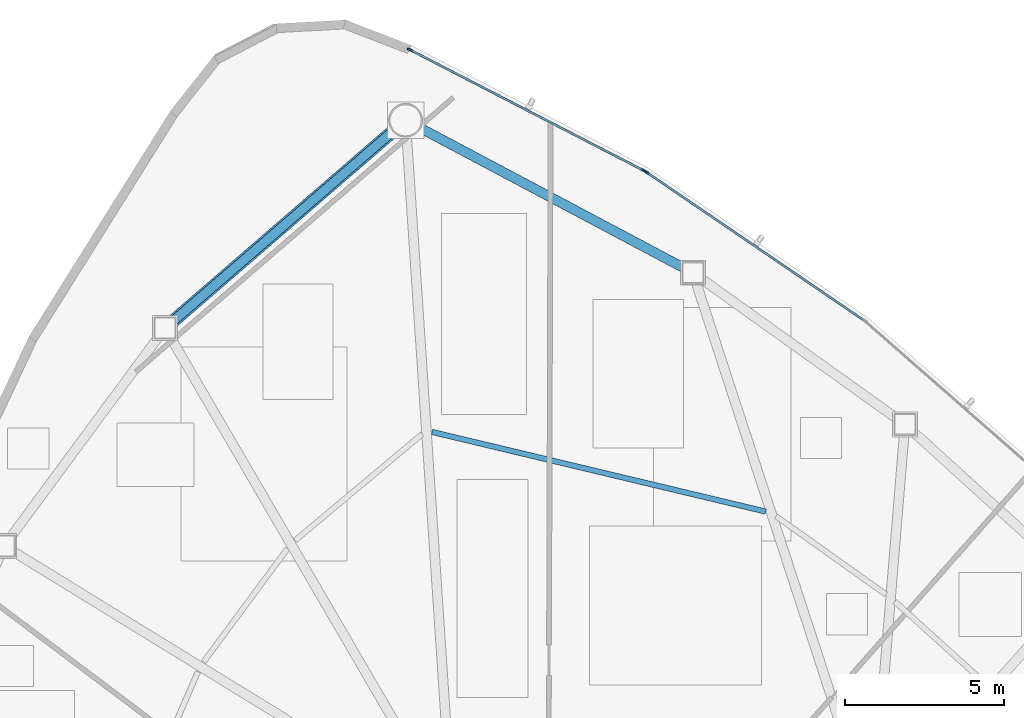
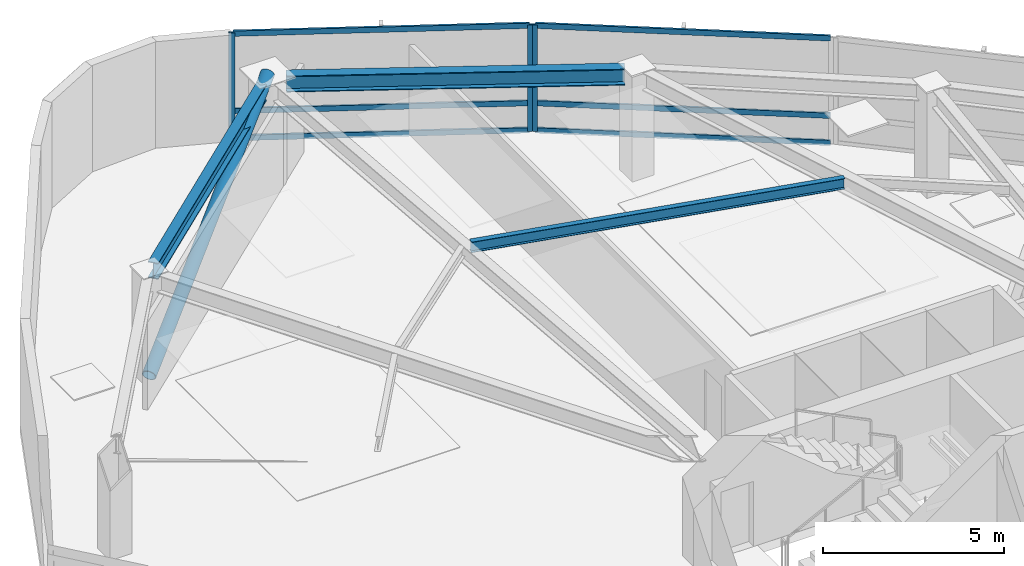
# One storey, part 8 of 17: 10 members, 3 beams, 2 elements without a shape of their own.
"""IFC4 building model written with IfcOpenShell, lengths in metres."""

from ifc_helpers import new_model, si_unit, direction, frame, origin, origin_2d, place, context, subcontext, project, spatial, hollow_rectangle, hollow_circle, i_section, extrude, source, transform, mapped, material, layer, layer_set, material_profile, profile_set, type_object, type_shapes, element, aggregate, save


model = new_model("IFC4")

# Units and contexts
model_context = context("Model", 3, precision=1e-05, world=origin(), true_north=direction((0.0, 1.0)))
body_context = subcontext(model_context, "Body", "Model", "MODEL_VIEW")
ifc_project = project(units=[si_unit("LENGTHUNIT", "METRE"), si_unit("AREAUNIT", "SQUARE_METRE"), si_unit("VOLUMEUNIT", "CUBIC_METRE"), si_unit("PLANEANGLEUNIT", "RADIAN"), si_unit("MASSUNIT", "GRAM", prefix="KILO")], contexts=[model_context])

# Site, building, storey
site_placement = place(None, origin())
site = spatial("IfcSite", under=ifc_project, at=site_placement, CompositionType="ELEMENT")
building_placement = place(site_placement, origin())
building = spatial("IfcBuilding", under=site, at=building_placement, Name="Tavelor Broadcast Tower", CompositionType="ELEMENT")
storey_placement = place(building_placement, frame((0.0, 0.0, 90.0)))
storey = spatial("IfcBuildingStorey", under=building, at=storey_placement, Name="L21", CompositionType="ELEMENT", Elevation=90.0)

# Beams
ifc_material_1 = material(Name="Steel S355", Category="steel")
ifc_material_profile_1 = material_profile(ifc_material_1, i_section(OverallWidth=0.169921875, OverallDepth=0.360107421875, WebThickness=0.008056640625, FlangeThickness=0.0126953125, at=origin_2d()), Name="IPE 360")
ifc_profile_set_1 = profile_set([ifc_material_profile_1], Name="Steel S355")
beam_type_1 = type_object("IfcBeamType", Name="Composite Floor Joist T2 IPE 360", PredefinedType="JOIST", material=ifc_profile_set_1)
beam_1_placement = place(storey_placement, frame((53.252685546875, 60.954345703125, 3.419921875), z_axis=(-0.97267356202, 0.232176962139, 0.0), x_axis=(-0.232176962139, -0.97267356202, 0.0)))
element("IfcBeam", 1, at=beam_1_placement, inside=storey, type_object=beam_type_1, Name="L21 Secondary Composite Floor Joist 18", PredefinedType="JOIST", context=body_context, shape_type="SweptSolid", body=[
    extrude(i_section(OverallWidth=0.169921875, OverallDepth=0.360107421875, WebThickness=0.008056640625, FlangeThickness=0.0126953125, at=origin_2d()), origin(), (0.0, 0.0, 1.0), 10.794921875),
])
ifc_material_profile_2 = material_profile(ifc_material_1, i_section(OverallWidth=0.300048828125, OverallDepth=0.550048828125, WebThickness=0.014892578125, FlangeThickness=0.029052734375, at=origin_2d()), Name="HEB 550")
ifc_profile_set_2 = profile_set([ifc_material_profile_2], Name="Steel S355")
beam_type_2 = type_object("IfcBeamType", Name="Perimeter Spandrel Beam T2 HEB 550", PredefinedType="SPANDREL", material=ifc_profile_set_2)
beam_2_placement = place(storey_placement, frame((41.535400390625, 72.931396484375, 3.324951171875), z_axis=(-0.756652037371, -0.653817783746, 0.0), x_axis=(0.653817783746, -0.756652037371, 0.0)))
element("IfcBeam", 2, at=beam_2_placement, inside=storey, type_object=beam_type_2, Name="L21 Framed-Tube Ring Spandrel 01", PredefinedType="SPANDREL", context=body_context, shape_type="SweptSolid", body=[
    extrude(i_section(OverallWidth=0.300048828125, OverallDepth=0.550048828125, WebThickness=0.014892578125, FlangeThickness=0.029052734375, at=origin_2d()), origin(), (0.0, 0.0, 1.0), 9.15234375),
])
beam_3_placement = place(storey_placement, frame((50.6650390625, 68.626220703125, 3.324951171875), z_axis=(-0.883288784051, 0.468829312192, 0.0), x_axis=(-0.468829312192, -0.883288784051, 0.0)))
element("IfcBeam", 3, at=beam_3_placement, inside=storey, type_object=beam_type_2, Name="L21 Framed-Tube Ring Spandrel 18", PredefinedType="SPANDREL", context=body_context, shape_type="SweptSolid", body=[
    extrude(i_section(OverallWidth=0.300048828125, OverallDepth=0.550048828125, WebThickness=0.014892578125, FlangeThickness=0.029052734375, at=origin_2d()), origin(), (0.0, 0.0, 1.0), 9.384765625),
])

# Member
ifc_material_profile_3 = material_profile(ifc_material_1, hollow_circle(Radius=0.203125, WallThickness=0.02001953125, at=origin_2d()), Name="CHS 406.4x20")
ifc_profile_set_3 = profile_set([ifc_material_profile_3], Name="Steel S355")
member_type_1 = type_object("IfcMemberType", Name="Perimeter Tube Brace T2 CHS 406.4x20", PredefinedType="BRACE", material=ifc_profile_set_3)
member_1_placement = place(storey_placement, frame((34.356201171875, 66.727783203125, 0.0), z_axis=(0.711923189295, 0.615174771108, 0.338711342497), x_axis=(-0.653821967179, 0.756648422475, 0.0)))
element("IfcMember", 4, at=member_1_placement, inside=storey, type_object=member_type_1, Name="L21 Corner Tube Diagonal Brace 1", PredefinedType="BRACE", context=body_context, shape_type="SweptSolid", body=[
    extrude(hollow_circle(Radius=0.203125, WallThickness=0.02001953125, at=origin_2d()), origin(), (0.0, 0.0, 1.0), 10.62890625),
])

# Curtain wall, member
ifc_material_2 = material(Name="Architectural Anodized Aluminium", Category="aluminium")
ifc_layer = layer(ifc_material_2, 0.179931640625)
ifc_layer_set = layer_set([ifc_layer], Name="Architectural Anodized Aluminium")
curtain_wall_type = type_object("IfcCurtainWallType", Name="Tower Low-Zone Unitised Curtain Wall CW02", PredefinedType="NOTDEFINED", material=ifc_layer_set)
curtain_wall_1_placement = place(storey_placement, origin())
curtain_wall_1 = element("IfcCurtainWall", 5, at=curtain_wall_1_placement, inside=storey, type_object=curtain_wall_type, Name="L21 Curtain Wall CW02 Run 215", PredefinedType="NOTDEFINED")
ifc_material_profile_4 = material_profile(ifc_material_2, hollow_rectangle(XDim=0.06494140625, YDim=0.179931640625, WallThickness=0.02197265625, at=origin_2d()), Name="RHS 65x180x22")
ifc_profile_set_4 = profile_set([ifc_material_profile_4], Name="Architectural Anodized Aluminium")
member_type_2 = type_object("IfcMemberType", Name="CW02 Extruded Aluminium Mullion 65x180", PredefinedType="MULLION", material=ifc_profile_set_4)
shared_shape_1 = source(origin(), body_context, "Body", "SweptSolid", [
    extrude(hollow_rectangle(XDim=0.06494140625, YDim=0.179931640625, WallThickness=0.02197265625, at=origin_2d()), origin(), (0.0, 0.0, 1.0), 3.60009765625),
])
type_shapes(member_type_2, [shared_shape_1])
member_2_placement = place(storey_placement, frame((49.502685546875, 71.63232421875, 0.0), z_axis=(0.0, 0.0, 1.0), x_axis=(-0.563166658755, -0.826343339337, 0.0)))
member_2 = element("IfcMember", 6, at=member_2_placement, type_object=member_type_2, Name="CW02 mullion 2", PredefinedType="MULLION", context=body_context, shape_type="MappedRepresentation", body=[
    mapped(shared_shape_1, transform((0.0, 0.0, 0.0), scale=1.0)),
])

# Curtain wall, members
curtain_wall_2_placement = place(storey_placement, origin())
curtain_wall_2 = element("IfcCurtainWall", 7, at=curtain_wall_2_placement, inside=storey, type_object=curtain_wall_type, Name="L21 Curtain Wall CW02 Run 216", PredefinedType="NOTDEFINED")
member_3_placement = place(storey_placement, frame((49.421142578125, 71.680908203125, 0.0), z_axis=(0.0, 0.0, 1.0), x_axis=(-0.459011701862, -0.888430220982, 0.0)))
member_3 = element("IfcMember", 8, at=member_3_placement, type_object=member_type_2, Name="CW02 mullion 1", PredefinedType="MULLION", context=body_context, shape_type="MappedRepresentation", body=[
    mapped(shared_shape_1, transform((0.0, 0.0, 0.0), scale=1.0)),
])
member_4_placement = place(storey_placement, frame((42.060791015625, 75.483642578125, 0.0), z_axis=(0.0, 0.0, 1.0), x_axis=(-0.459011701862, -0.888430220982, 0.0)))
member_4 = element("IfcMember", 9, at=member_4_placement, type_object=member_type_2, Name="CW02 mullion 2", PredefinedType="MULLION", context=body_context, shape_type="MappedRepresentation", body=[
    mapped(shared_shape_1, transform((0.0, 0.0, 0.0), scale=1.0)),
])

# Member
ifc_material_profile_5 = material_profile(ifc_material_2, hollow_rectangle(XDim=0.06494140625, YDim=0.179931640625, WallThickness=0.02197265625, at=origin_2d()), Name="RHS 65x180x22")
ifc_profile_set_5 = profile_set([ifc_material_profile_5], Name="Architectural Anodized Aluminium")
member_type_3 = type_object("IfcMemberType", Name="CW02 Extruded Aluminium Transom 65x180", PredefinedType="USERDEFINED", material=ifc_profile_set_5)
shared_shape_2 = source(origin(), body_context, "Body", "SweptSolid", [
    extrude(hollow_rectangle(XDim=0.06494140625, YDim=0.179931640625, WallThickness=0.02197265625, at=origin_2d()), origin(), (0.0, 0.0, 1.0), 8.203857421875),
])
member_5_placement = place(storey_placement, frame((56.308837890625, 66.993896484375, 0.032470703125), z_axis=(-0.826348206649, 0.563159516805, 0.0), x_axis=(-0.563159516805, -0.826348206649, 0.0)))
member_5 = element("IfcMember", 10, at=member_5_placement, type_object=member_type_3, Name="CW02 transom 1.1", ObjectType="TRANSOM", PredefinedType="USERDEFINED", context=body_context, shape_type="MappedRepresentation", body=[
    mapped(shared_shape_2, transform((0.0, 0.0, 0.0), scale=1.0)),
])

member_6_placement = place(storey_placement, frame((56.308837890625, 66.993896484375, 0.949951171875), z_axis=(-0.826348206649, 0.563159516805, 0.0), x_axis=(-0.563159516805, -0.826348206649, 0.0)))
member_6 = element("IfcMember", 11, at=member_6_placement, type_object=member_type_3, Name="CW02 transom 1.2", ObjectType="TRANSOM", PredefinedType="USERDEFINED", context=body_context, shape_type="MappedRepresentation", body=[
    mapped(shared_shape_2, transform((0.0, 0.0, 0.0), scale=1.0)),
])

member_7_placement = place(storey_placement, frame((56.308837890625, 66.993896484375, 3.5673828125), z_axis=(-0.826348206649, 0.563159516805, 0.0), x_axis=(-0.563159516805, -0.826348206649, 0.0)))
member_7 = element("IfcMember", 12, at=member_7_placement, type_object=member_type_3, Name="CW02 transom 1.3", ObjectType="TRANSOM", PredefinedType="USERDEFINED", context=body_context, shape_type="MappedRepresentation", body=[
    mapped(shared_shape_2, transform((0.0, 0.0, 0.0), scale=1.0)),
])

aggregate(curtain_wall_1, [member_2, member_5, member_6, member_7])

shared_shape_3 = source(origin(), body_context, "Body", "SweptSolid", [
    extrude(hollow_rectangle(XDim=0.06494140625, YDim=0.179931640625, WallThickness=0.02197265625, at=origin_2d()), origin(), (0.0, 0.0, 1.0), 8.2197265625),
])
type_shapes(member_type_3, [shared_shape_2, shared_shape_3])
member_8_placement = place(storey_placement, frame((49.392333984375, 71.69580078125, 0.032470703125), z_axis=(-0.88843236674, 0.459007548663, 0.0), x_axis=(-0.459007548663, -0.88843236674, 0.0)))
member_8 = element("IfcMember", 13, at=member_8_placement, type_object=member_type_3, Name="CW02 transom 1.1", ObjectType="TRANSOM", PredefinedType="USERDEFINED", context=body_context, shape_type="MappedRepresentation", body=[
    mapped(shared_shape_3, transform((0.0, 0.0, 0.0), scale=1.0)),
])

member_9_placement = place(storey_placement, frame((49.392333984375, 71.69580078125, 0.949951171875), z_axis=(-0.88843236674, 0.459007548663, 0.0), x_axis=(-0.459007548663, -0.88843236674, 0.0)))
member_9 = element("IfcMember", 14, at=member_9_placement, type_object=member_type_3, Name="CW02 transom 1.2", ObjectType="TRANSOM", PredefinedType="USERDEFINED", context=body_context, shape_type="MappedRepresentation", body=[
    mapped(shared_shape_3, transform((0.0, 0.0, 0.0), scale=1.0)),
])

member_10_placement = place(storey_placement, frame((49.392333984375, 71.69580078125, 3.5673828125), z_axis=(-0.88843236674, 0.459007548663, 0.0), x_axis=(-0.459007548663, -0.88843236674, 0.0)))
member_10 = element("IfcMember", 15, at=member_10_placement, type_object=member_type_3, Name="CW02 transom 1.3", ObjectType="TRANSOM", PredefinedType="USERDEFINED", context=body_context, shape_type="MappedRepresentation", body=[
    mapped(shared_shape_3, transform((0.0, 0.0, 0.0), scale=1.0)),
])

aggregate(curtain_wall_2, [member_3, member_4, member_8, member_9, member_10])

save(model, "model.ifc")
